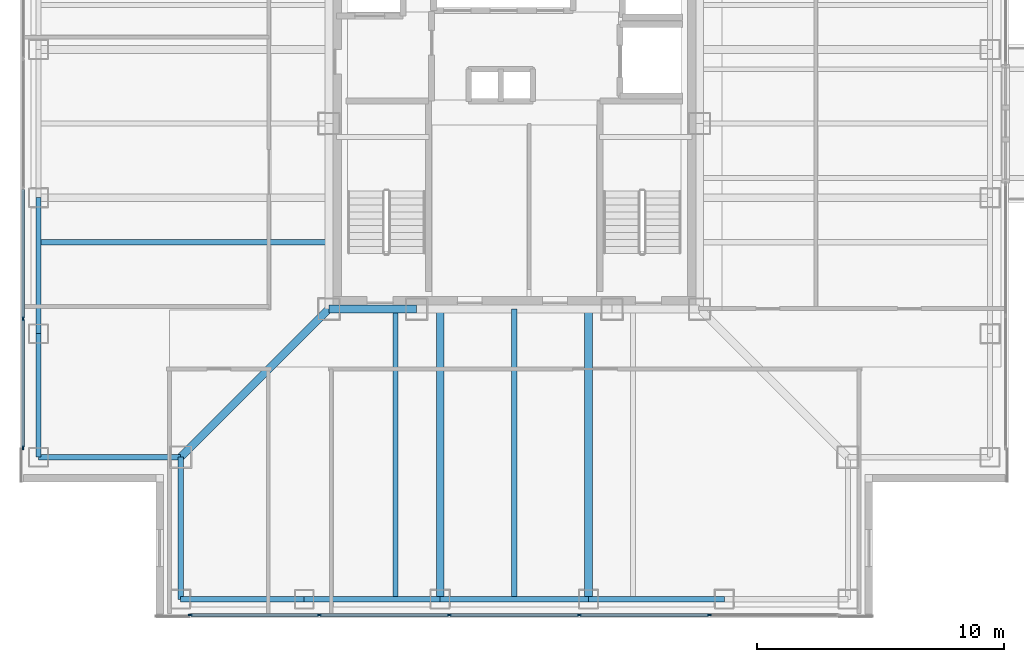
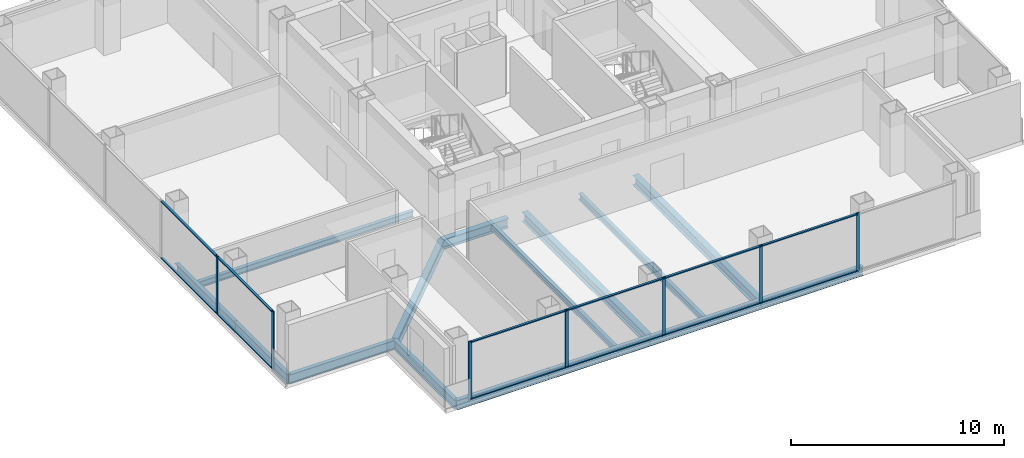
# One storey, part 2 of 17: 19 members, 15 beams, 2 elements without a shape of their own.
"""IFC4 building model written with IfcOpenShell, lengths in metres."""

from ifc_helpers import new_model, si_unit, direction, frame, origin, origin_2d, place, context, subcontext, project, spatial, rectangle, i_section, extrude, material, layer, layer_set, material_profile, profile_set, type_object, element, aggregate, save


model = new_model("IFC4")

# Units and contexts
model_context = context("Model", 3, precision=1e-05, world=origin(), true_north=direction((0.0, 1.0)))
body_context = subcontext(model_context, "Body", "Model", "MODEL_VIEW")
ifc_project = project(units=[si_unit("LENGTHUNIT", "METRE"), si_unit("AREAUNIT", "SQUARE_METRE"), si_unit("VOLUMEUNIT", "CUBIC_METRE"), si_unit("PLANEANGLEUNIT", "RADIAN"), si_unit("MASSUNIT", "GRAM", prefix="KILO")], contexts=[model_context])

# Site, building, storey
site_placement = place(None, origin())
site = spatial("IfcSite", under=ifc_project, at=site_placement, CompositionType="ELEMENT")
building_placement = place(site_placement, origin())
building = spatial("IfcBuilding", under=site, at=building_placement, Name="Trevonay Congress Spire", CompositionType="ELEMENT")
storey_placement = place(building_placement, frame((0.0, 0.0, 187.800048828125)))
storey = spatial("IfcBuildingStorey", under=building, at=storey_placement, Name="L48", CompositionType="ELEMENT", Elevation=187.800048828125)

# Beams
ifc_material_1 = material(Name="Steel ASTM A572 Grade 50", Category="steel")
ifc_material_profile_1 = material_profile(ifc_material_1, i_section(OverallWidth=0.31201171875, OverallDepth=0.54296875, WebThickness=0.0126953125, FlangeThickness=0.020263671875, FilletRadius=0.014892578125, at=origin_2d()), Name="W530x150")
ifc_profile_set_1 = profile_set([ifc_material_profile_1], Name="Steel ASTM A572 Grade 50")
beam_type_1 = type_object("IfcBeamType", Name="BM-GIRD-W530X150", PredefinedType="BEAM", material=ifc_profile_set_1)
beam_1_placement = place(storey_placement, frame((-7.5, -7.5, -0.511474609375), z_axis=(1.0, 0.0, 0.0), x_axis=(0.0, 1.0, 0.0)))
element("IfcBeam", 1, at=beam_1_placement, inside=storey, type_object=beam_type_1, Name="L48 structural beam BM-L48-CR-S1", PredefinedType="BEAM", context=body_context, shape_type="SweptSolid", body=[
    extrude(i_section(OverallWidth=0.31201171875, OverallDepth=0.54296875, WebThickness=0.0126953125, FlangeThickness=0.020263671875, FilletRadius=0.014892578125, at=origin_2d()), origin(), (0.0, 0.0, 1.0), 3.550048828125),
])
beam_2_placement = place(storey_placement, frame((-7.5, -7.5, -0.511474609375), z_axis=(-0.707106781187, -0.707106781187, 0.0), x_axis=(0.707106781187, -0.707106781187, 0.0)))
element("IfcBeam", 2, at=beam_2_placement, inside=storey, type_object=beam_type_1, Name="L48 structural beam BM-L48-CDSW", PredefinedType="BEAM", context=body_context, shape_type="SweptSolid", body=[
    extrude(i_section(OverallWidth=0.31201171875, OverallDepth=0.54296875, WebThickness=0.0126953125, FlangeThickness=0.020263671875, FilletRadius=0.014892578125, at=origin_2d()), origin(), (0.0, 0.0, 1.0), 8.4853515625),
])
for number, where, z_axis, x_axis, name in (
    (3, (-3.0, -7.5, -0.511474609375), (0.0, -1.0, 0.0), (1.0, 0.0, 0.0), "L48 structural beam BM-L48-GS-M"),
    (4, (3.0, -7.5, -0.511474609375), (0.0, -1.0, 0.0), (1.0, 0.0, 0.0), "L48 structural beam BM-L48-GS-P"),
):
    element("IfcBeam", number, at=place(storey_placement, frame(where, z_axis=z_axis, x_axis=x_axis)), inside=storey, type_object=beam_type_1, Name=name, PredefinedType="BEAM", context=body_context, shape_type="SweptSolid", body=[
        extrude(i_section(OverallWidth=0.31201171875, OverallDepth=0.54296875, WebThickness=0.0126953125, FlangeThickness=0.020263671875, FilletRadius=0.014892578125, at=origin_2d()), origin(), (0.0, 0.0, 1.0), 11.75),
    ])
ifc_material_profile_2 = material_profile(ifc_material_1, i_section(OverallWidth=0.2119140625, OverallDepth=0.5439453125, WebThickness=0.01318359375, FlangeThickness=0.021240234375, FilletRadius=0.014892578125, at=origin_2d()), Name="W530x123")
ifc_profile_set_2 = profile_set([ifc_material_profile_2], Name="Steel ASTM A572 Grade 50")
beam_type_2 = type_object("IfcBeamType", Name="BM-RING-W530X123", PredefinedType="BEAM", material=ifc_profile_set_2)
for number, where, z_axis, x_axis, name in (
    (5, (-13.5, -19.25, -0.511962890625), (1.0, 0.0, 0.0), (0.0, 1.0, 0.0), "L48 structural beam BM-L48-PS1"),
    (6, (-19.25, -13.5, -0.511962890625), (0.0, 1.0, 0.0), (-1.0, 0.0, 0.0), "L48 structural beam BM-L48-PW1"),
):
    element("IfcBeam", number, at=place(storey_placement, frame(where, z_axis=z_axis, x_axis=x_axis)), inside=storey, type_object=beam_type_2, Name=name, PredefinedType="BEAM", context=body_context, shape_type="SweptSolid", body=[
        extrude(i_section(OverallWidth=0.2119140625, OverallDepth=0.5439453125, WebThickness=0.01318359375, FlangeThickness=0.021240234375, FilletRadius=0.014892578125, at=origin_2d()), origin(), (0.0, 0.0, 1.0), 5.0),
    ])
for number, where, z_axis, x_axis, name in (
    (7, (-8.5, -19.25, -0.511962890625), (1.0, 0.0, 0.0), (0.0, 1.0, 0.0), "L48 structural beam BM-L48-PS2"),
    (8, (-19.25, -8.5, -0.511962890625), (0.0, 1.0, 0.0), (-1.0, 0.0, 0.0), "L48 structural beam BM-L48-PW2"),
):
    element("IfcBeam", number, at=place(storey_placement, frame(where, z_axis=z_axis, x_axis=x_axis)), inside=storey, type_object=beam_type_2, Name=name, PredefinedType="BEAM", context=body_context, shape_type="SweptSolid", body=[
        extrude(i_section(OverallWidth=0.2119140625, OverallDepth=0.5439453125, WebThickness=0.01318359375, FlangeThickness=0.021240234375, FilletRadius=0.014892578125, at=origin_2d()), origin(), (0.0, 0.0, 1.0), 5.5),
    ])
beam_3_placement = place(storey_placement, frame((-3.0, -19.25, -0.511962890625), z_axis=(1.0, 0.0, 0.0), x_axis=(0.0, 1.0, 0.0)))
element("IfcBeam", 9, at=beam_3_placement, inside=storey, type_object=beam_type_2, Name="L48 structural beam BM-L48-PS3", PredefinedType="BEAM", context=body_context, shape_type="SweptSolid", body=[
    extrude(i_section(OverallWidth=0.2119140625, OverallDepth=0.5439453125, WebThickness=0.01318359375, FlangeThickness=0.021240234375, FilletRadius=0.014892578125, at=origin_2d()), origin(), (0.0, 0.0, 1.0), 6.0),
])
beam_4_placement = place(storey_placement, frame((3.0, -19.25, -0.511962890625), z_axis=(1.0, 0.0, 0.0), x_axis=(0.0, 1.0, 0.0)))
element("IfcBeam", 10, at=beam_4_placement, inside=storey, type_object=beam_type_2, Name="L48 structural beam BM-L48-PS4", PredefinedType="BEAM", context=body_context, shape_type="SweptSolid", body=[
    extrude(i_section(OverallWidth=0.2119140625, OverallDepth=0.5439453125, WebThickness=0.01318359375, FlangeThickness=0.021240234375, FilletRadius=0.014892578125, at=origin_2d()), origin(), (0.0, 0.0, 1.0), 5.5),
])
for number, where, z_axis, x_axis, name in (
    (11, (-13.5, -19.25, -0.511962890625), (0.0, 1.0, 0.0), (-1.0, 0.0, 0.0), "L48 structural beam BM-L48-N1SW"),
    (12, (-19.25, -13.5, -0.511962890625), (1.0, 0.0, 0.0), (0.0, 1.0, 0.0), "L48 structural beam BM-L48-N2SW"),
):
    element("IfcBeam", number, at=place(storey_placement, frame(where, z_axis=z_axis, x_axis=x_axis)), inside=storey, type_object=beam_type_2, Name=name, PredefinedType="BEAM", context=body_context, shape_type="SweptSolid", body=[
        extrude(i_section(OverallWidth=0.2119140625, OverallDepth=0.5439453125, WebThickness=0.01318359375, FlangeThickness=0.021240234375, FilletRadius=0.014892578125, at=origin_2d()), origin(), (0.0, 0.0, 1.0), 5.75),
    ])

# Curtain wall, members
ifc_material_2 = material(Name="Pale Anodised Aluminium EN AW-6063-T6", Category="aluminium")
ifc_layer = layer(ifc_material_2, 0.169921875, Name="Pale Anodised Aluminium EN AW-6063-T6")
ifc_layer_set = layer_set([ifc_layer], Name="Pale Anodised Aluminium EN AW-6063-T6")
curtain_wall_type = type_object("IfcCurtainWallType", Name="CW-SYS04-CORP-PALE-METAL", PredefinedType="NOTDEFINED", material=ifc_layer_set)
curtain_wall_1_placement = place(storey_placement, origin())
curtain_wall_1 = element("IfcCurtainWall", 13, at=curtain_wall_1_placement, inside=storey, type_object=curtain_wall_type, Name="L48 S unitised curtain wall", PredefinedType="NOTDEFINED")
ifc_material_profile_3 = material_profile(ifc_material_2, rectangle(XDim=0.06005859375, YDim=0.159912109375, at=origin_2d()), Name="CW-MULLION-160-ALUMINIUM")
ifc_profile_set_3 = profile_set([ifc_material_profile_3], Name="Pale Anodised Aluminium EN AW-6063-T6")
member_type_1 = type_object("IfcMemberType", Name="CW-MULLION-160-ALUMINIUM", PredefinedType="MULLION", material=ifc_profile_set_3)
member_1_placement = place(storey_placement, frame((-13.1201171875, -19.8798828125, 0.0), z_axis=(0.0, 0.0, 1.0), x_axis=(0.0, 1.0, 0.0)))
member_1 = element("IfcMember", 14, at=member_1_placement, type_object=member_type_1, Name="CW04 mullion 1", PredefinedType="MULLION", context=body_context, shape_type="SweptSolid", body=[
    extrude(rectangle(XDim=0.06005859375, YDim=0.159912109375, at=origin_2d()), origin(), (0.0, 0.0, 1.0), 3.35986328125),
])
member_2_placement = place(storey_placement, frame((-7.889892578125, -19.8798828125, 0.0), z_axis=(0.0, 0.0, 1.0), x_axis=(0.0, 1.0, 0.0)))
member_2 = element("IfcMember", 15, at=member_2_placement, type_object=member_type_1, Name="CW04 mullion 2", PredefinedType="MULLION", context=body_context, shape_type="SweptSolid", body=[
    extrude(rectangle(XDim=0.06005859375, YDim=0.159912109375, at=origin_2d()), origin(), (0.0, 0.0, 1.0), 3.35986328125),
])
member_3_placement = place(storey_placement, frame((-2.6298828125, -19.8798828125, 0.0), z_axis=(0.0, 0.0, 1.0), x_axis=(0.0, 1.0, 0.0)))
member_3 = element("IfcMember", 16, at=member_3_placement, type_object=member_type_1, Name="CW04 mullion 3", PredefinedType="MULLION", context=body_context, shape_type="SweptSolid", body=[
    extrude(rectangle(XDim=0.06005859375, YDim=0.159912109375, at=origin_2d()), origin(), (0.0, 0.0, 1.0), 3.35986328125),
])
member_4_placement = place(storey_placement, frame((2.6298828125, -19.8798828125, 0.0), z_axis=(0.0, 0.0, 1.0), x_axis=(0.0, 1.0, 0.0)))
member_4 = element("IfcMember", 17, at=member_4_placement, type_object=member_type_1, Name="CW04 mullion 4", PredefinedType="MULLION", context=body_context, shape_type="SweptSolid", body=[
    extrude(rectangle(XDim=0.06005859375, YDim=0.159912109375, at=origin_2d()), origin(), (0.0, 0.0, 1.0), 3.35986328125),
])
member_5_placement = place(storey_placement, frame((7.889892578125, -19.8798828125, 0.0), z_axis=(0.0, 0.0, 1.0), x_axis=(0.0, 1.0, 0.0)))
member_5 = element("IfcMember", 18, at=member_5_placement, type_object=member_type_1, Name="CW04 mullion 5", PredefinedType="MULLION", context=body_context, shape_type="SweptSolid", body=[
    extrude(rectangle(XDim=0.06005859375, YDim=0.159912109375, at=origin_2d()), origin(), (0.0, 0.0, 1.0), 3.35986328125),
])

curtain_wall_2_placement = place(storey_placement, origin())
curtain_wall_2 = element("IfcCurtainWall", 19, at=curtain_wall_2_placement, inside=storey, type_object=curtain_wall_type, Name="L48 W unitised curtain wall", PredefinedType="NOTDEFINED")
member_6_placement = place(storey_placement, frame((-19.8798828125, -13.1201171875, 0.0), z_axis=(0.0, 0.0, 1.0), x_axis=(-1.0, 0.0, 0.0)))
member_6 = element("IfcMember", 20, at=member_6_placement, type_object=member_type_1, Name="CW04 mullion 1", PredefinedType="MULLION", context=body_context, shape_type="SweptSolid", body=[
    extrude(rectangle(XDim=0.06005859375, YDim=0.159912109375, at=origin_2d()), origin(), (0.0, 0.0, 1.0), 3.35986328125),
])
member_7_placement = place(storey_placement, frame((-19.8798828125, -7.889892578125, 0.0), z_axis=(0.0, 0.0, 1.0), x_axis=(-1.0, 0.0, 0.0)))
member_7 = element("IfcMember", 21, at=member_7_placement, type_object=member_type_1, Name="CW04 mullion 2", PredefinedType="MULLION", context=body_context, shape_type="SweptSolid", body=[
    extrude(rectangle(XDim=0.06005859375, YDim=0.159912109375, at=origin_2d()), origin(), (0.0, 0.0, 1.0), 3.35986328125),
])

# Member
ifc_material_profile_4 = material_profile(ifc_material_2, rectangle(XDim=0.1201171875, YDim=0.06005859375, at=origin_2d()), Name="CW-TRANSOM-120-ALUMINIUM")
ifc_profile_set_4 = profile_set([ifc_material_profile_4], Name="Pale Anodised Aluminium EN AW-6063-T6")
member_type_2 = type_object("IfcMemberType", Name="CW-TRANSOM-120-ALUMINIUM", PredefinedType="USERDEFINED", material=ifc_profile_set_4)
member_8_placement = place(storey_placement, frame((-13.090087890625, -19.8798828125, 0.06005859375), z_axis=(1.0, 0.0, 0.0), x_axis=(0.0, 1.0, 0.0)))
member_8 = element("IfcMember", 22, at=member_8_placement, type_object=member_type_2, Name="CW04 transom 1.1", ObjectType="TRANSOM", PredefinedType="USERDEFINED", context=body_context, shape_type="SweptSolid", body=[
    extrude(rectangle(XDim=0.1201171875, YDim=0.06005859375, at=origin_2d()), origin(), (0.0, 0.0, 1.0), 5.170166015625),
])

member_9_placement = place(storey_placement, frame((-13.090087890625, -19.8798828125, 3.300048828125), z_axis=(1.0, 0.0, 0.0), x_axis=(0.0, 1.0, 0.0)))
member_9 = element("IfcMember", 23, at=member_9_placement, type_object=member_type_2, Name="CW04 transom 1.2", ObjectType="TRANSOM", PredefinedType="USERDEFINED", context=body_context, shape_type="SweptSolid", body=[
    extrude(rectangle(XDim=0.1201171875, YDim=0.06005859375, at=origin_2d()), origin(), (0.0, 0.0, 1.0), 5.170166015625),
])

member_10_placement = place(storey_placement, frame((-7.860107421875, -19.8798828125, 0.06005859375), z_axis=(1.0, 0.0, 0.0), x_axis=(0.0, 1.0, 0.0)))
member_10 = element("IfcMember", 24, at=member_10_placement, type_object=member_type_2, Name="CW04 transom 2.1", ObjectType="TRANSOM", PredefinedType="USERDEFINED", context=body_context, shape_type="SweptSolid", body=[
    extrude(rectangle(XDim=0.1201171875, YDim=0.06005859375, at=origin_2d()), origin(), (0.0, 0.0, 1.0), 5.2001953125),
])

member_11_placement = place(storey_placement, frame((-7.860107421875, -19.8798828125, 3.300048828125), z_axis=(1.0, 0.0, 0.0), x_axis=(0.0, 1.0, 0.0)))
member_11 = element("IfcMember", 25, at=member_11_placement, type_object=member_type_2, Name="CW04 transom 2.2", ObjectType="TRANSOM", PredefinedType="USERDEFINED", context=body_context, shape_type="SweptSolid", body=[
    extrude(rectangle(XDim=0.1201171875, YDim=0.06005859375, at=origin_2d()), origin(), (0.0, 0.0, 1.0), 5.2001953125),
])

member_12_placement = place(storey_placement, frame((-2.60009765625, -19.8798828125, 0.06005859375), z_axis=(1.0, 0.0, 0.0), x_axis=(0.0, 1.0, 0.0)))
member_12 = element("IfcMember", 26, at=member_12_placement, type_object=member_type_2, Name="CW04 transom 3.1", ObjectType="TRANSOM", PredefinedType="USERDEFINED", context=body_context, shape_type="SweptSolid", body=[
    extrude(rectangle(XDim=0.1201171875, YDim=0.06005859375, at=origin_2d()), origin(), (0.0, 0.0, 1.0), 5.2001953125),
])

member_13_placement = place(storey_placement, frame((-2.60009765625, -19.8798828125, 3.300048828125), z_axis=(1.0, 0.0, 0.0), x_axis=(0.0, 1.0, 0.0)))
member_13 = element("IfcMember", 27, at=member_13_placement, type_object=member_type_2, Name="CW04 transom 3.2", ObjectType="TRANSOM", PredefinedType="USERDEFINED", context=body_context, shape_type="SweptSolid", body=[
    extrude(rectangle(XDim=0.1201171875, YDim=0.06005859375, at=origin_2d()), origin(), (0.0, 0.0, 1.0), 5.2001953125),
])

member_14_placement = place(storey_placement, frame((2.659912109375, -19.8798828125, 0.06005859375), z_axis=(1.0, 0.0, 0.0), x_axis=(0.0, 1.0, 0.0)))
member_14 = element("IfcMember", 28, at=member_14_placement, type_object=member_type_2, Name="CW04 transom 4.1", ObjectType="TRANSOM", PredefinedType="USERDEFINED", context=body_context, shape_type="SweptSolid", body=[
    extrude(rectangle(XDim=0.1201171875, YDim=0.06005859375, at=origin_2d()), origin(), (0.0, 0.0, 1.0), 5.2001953125),
])

member_15_placement = place(storey_placement, frame((2.659912109375, -19.8798828125, 3.300048828125), z_axis=(1.0, 0.0, 0.0), x_axis=(0.0, 1.0, 0.0)))
member_15 = element("IfcMember", 29, at=member_15_placement, type_object=member_type_2, Name="CW04 transom 4.2", ObjectType="TRANSOM", PredefinedType="USERDEFINED", context=body_context, shape_type="SweptSolid", body=[
    extrude(rectangle(XDim=0.1201171875, YDim=0.06005859375, at=origin_2d()), origin(), (0.0, 0.0, 1.0), 5.2001953125),
])

aggregate(curtain_wall_1, [member_1, member_2, member_3, member_4, member_5, member_8, member_9, member_10, member_11, member_12, member_13, member_14, member_15])

member_16_placement = place(storey_placement, frame((-19.8798828125, -13.090087890625, 0.06005859375), z_axis=(0.0, 1.0, 0.0), x_axis=(-1.0, 0.0, 0.0)))
member_16 = element("IfcMember", 30, at=member_16_placement, type_object=member_type_2, Name="CW04 transom 1.1", ObjectType="TRANSOM", PredefinedType="USERDEFINED", context=body_context, shape_type="SweptSolid", body=[
    extrude(rectangle(XDim=0.1201171875, YDim=0.06005859375, at=origin_2d()), origin(), (0.0, 0.0, 1.0), 5.170166015625),
])

member_17_placement = place(storey_placement, frame((-19.8798828125, -13.090087890625, 3.300048828125), z_axis=(0.0, 1.0, 0.0), x_axis=(-1.0, 0.0, 0.0)))
member_17 = element("IfcMember", 31, at=member_17_placement, type_object=member_type_2, Name="CW04 transom 1.2", ObjectType="TRANSOM", PredefinedType="USERDEFINED", context=body_context, shape_type="SweptSolid", body=[
    extrude(rectangle(XDim=0.1201171875, YDim=0.06005859375, at=origin_2d()), origin(), (0.0, 0.0, 1.0), 5.170166015625),
])

member_18_placement = place(storey_placement, frame((-19.8798828125, -7.860107421875, 0.06005859375), z_axis=(0.0, 1.0, 0.0), x_axis=(-1.0, 0.0, 0.0)))
member_18 = element("IfcMember", 32, at=member_18_placement, type_object=member_type_2, Name="CW04 transom 2.1", ObjectType="TRANSOM", PredefinedType="USERDEFINED", context=body_context, shape_type="SweptSolid", body=[
    extrude(rectangle(XDim=0.1201171875, YDim=0.06005859375, at=origin_2d()), origin(), (0.0, 0.0, 1.0), 5.2001953125),
])

member_19_placement = place(storey_placement, frame((-19.8798828125, -7.860107421875, 3.300048828125), z_axis=(0.0, 1.0, 0.0), x_axis=(-1.0, 0.0, 0.0)))
member_19 = element("IfcMember", 33, at=member_19_placement, type_object=member_type_2, Name="CW04 transom 2.2", ObjectType="TRANSOM", PredefinedType="USERDEFINED", context=body_context, shape_type="SweptSolid", body=[
    extrude(rectangle(XDim=0.1201171875, YDim=0.06005859375, at=origin_2d()), origin(), (0.0, 0.0, 1.0), 5.2001953125),
])

aggregate(curtain_wall_2, [member_6, member_7, member_16, member_17, member_18, member_19])

# Beams
ifc_material_profile_5 = material_profile(ifc_material_1, i_section(OverallWidth=0.205078125, OverallDepth=0.35400390625, WebThickness=0.009521484375, FlangeThickness=0.016845703125, FilletRadius=0.011962890625, at=origin_2d()), Name="W360x79")
ifc_profile_set_5 = profile_set([ifc_material_profile_5], Name="Steel ASTM A572 Grade 50")
beam_type_3 = type_object("IfcBeamType", Name="JS-COMP-W360X79", PredefinedType="JOIST", material=ifc_profile_set_5)
for number, where, z_axis, x_axis, name in (
    (34, (-4.800048828125, -19.25, -0.4169921875), (0.0, 1.0, 0.0), (-1.0, 0.0, 0.0), "L48 structural beam JS-L48-NS-S1"),
    (35, (-19.25, -4.800048828125, -0.4169921875), (1.0, 0.0, 0.0), (0.0, 1.0, 0.0), "L48 structural beam JS-L48-EW-W1"),
    (36, (0.0, -19.25, -0.4169921875), (0.0, 1.0, 0.0), (-1.0, 0.0, 0.0), "L48 structural beam JS-L48-NS-S2"),
):
    element("IfcBeam", number, at=place(storey_placement, frame(where, z_axis=z_axis, x_axis=x_axis)), inside=storey, type_object=beam_type_3, Name=name, PredefinedType="JOIST", context=body_context, shape_type="SweptSolid", body=[
        extrude(i_section(OverallWidth=0.205078125, OverallDepth=0.35400390625, WebThickness=0.009521484375, FlangeThickness=0.016845703125, FilletRadius=0.011962890625, at=origin_2d()), origin(), (0.0, 0.0, 1.0), 11.75),
    ])

save(model, "model.ifc")
